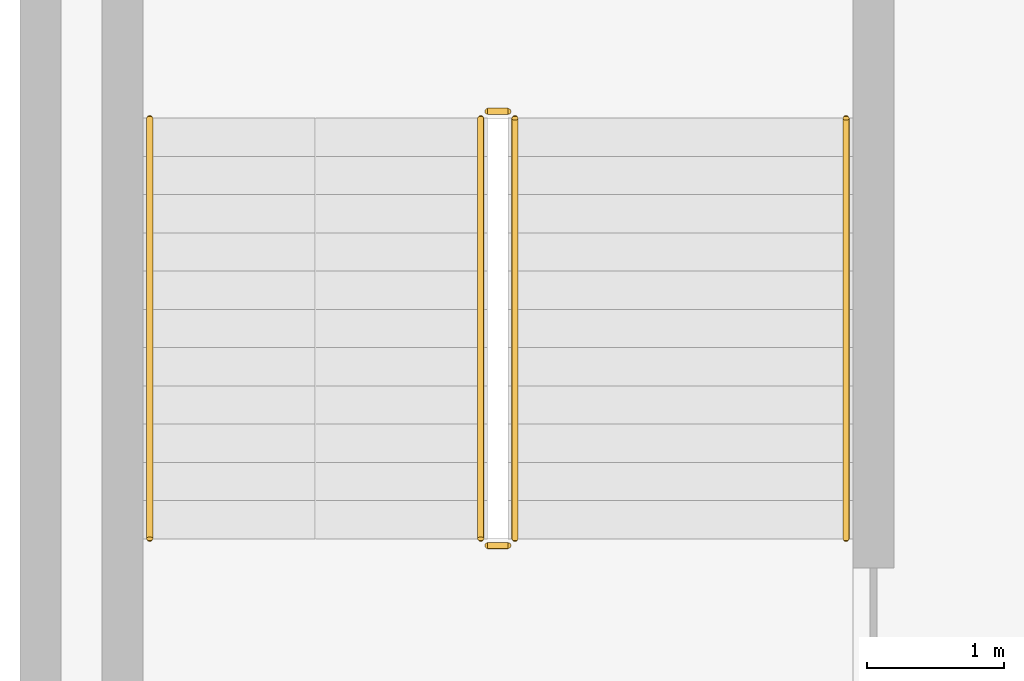
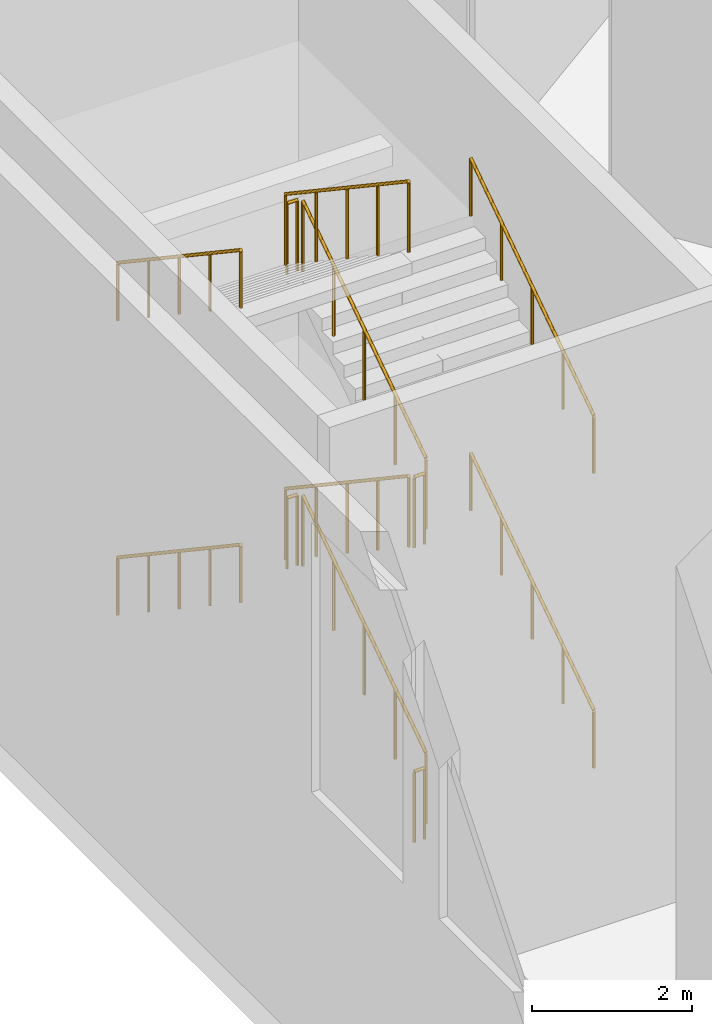
# One storey, part 21 of 27: 12 railings.
"""IFC4 building model written with IfcOpenShell, lengths in metres."""

import ifcopenshell
import ifcopenshell.guid

model = None  # the IFC model being written
_history = None  # IfcOwnerHistory: only IFC2X3 demands one
_inside = {}  # id of a spatial element -> (the spatial element, [elements in it])
_under = {}  # id of a project, library or spatial element -> (it, [spatial elements below it])
_declared = {}  # id of a project -> (the project, [libraries it declares])
_typed = {}  # id of a type object -> (the type object, [elements of that type])
_made_of = {}  # id of a material, layer set ... -> (it, [elements and type objects made of it])


def new_model(schema):
    """Start an empty IFC model of exactly this schema.

    Asked for "IFC4X3", IfcOpenShell would pick the latest addendum, in which some entities
    have other attributes; the version numbers below select the first issue.
    IFC2X3 requires an IfcOwnerHistory on every rooted entity: one is made here for all.
    """
    global model, _history
    if schema == "IFC4X3":
        model = ifcopenshell.file(schema_version=(4, 3, 0, 0))
    else:
        model = ifcopenshell.file(schema=schema)
    _inside.clear()
    _under.clear()
    _declared.clear()
    _typed.clear()
    _made_of.clear()
    _history = None
    if model.schema == "IFC2X3":
        org = make("IfcOrganization", Name="unknown")
        user = make(
            "IfcPersonAndOrganization",
            ThePerson=make("IfcPerson", FamilyName="unknown"),
            TheOrganization=org,
        )
        app = make(
            "IfcApplication",
            ApplicationDeveloper=org,
            Version="unknown",
            ApplicationFullName="unknown",
            ApplicationIdentifier="unknown",
        )
        _history = make(
            "IfcOwnerHistory",
            OwningUser=user,
            OwningApplication=app,
            ChangeAction="ADDED",
            CreationDate=0,
        )
    return model


def make(cls, **values):
    """One entity of the class cls with the attributes given. An attribute that is None is left unset."""
    return model.create_entity(
        cls, **{name: value for name, value in values.items() if value is not None}
    )


def rooted(cls, **values):
    """An entity with a GlobalId (a new one), such as an element, a storey or a relation."""
    return make(cls, GlobalId=ifcopenshell.guid.new(), OwnerHistory=_history, **values)


def si_unit(unit_type, name, prefix=None):
    """IfcSIUnit, for example si_unit("LENGTHUNIT", "METRE", prefix="MILLI")."""
    return make("IfcSIUnit", UnitType=unit_type, Prefix=prefix, Name=name)


def assignment(units):
    """IfcUnitAssignment: the units of a project."""
    return None if units is None else make("IfcUnitAssignment", Units=units)


def point(xyz):
    """IfcCartesianPoint."""
    return None if xyz is None else make("IfcCartesianPoint", Coordinates=xyz)


def direction(xyz):
    """IfcDirection."""
    return None if xyz is None else make("IfcDirection", DirectionRatios=xyz)


def frame(location, z_axis=None, x_axis=None):
    """IfcAxis2Placement3D, a coordinate frame: its origin and axes. An axis left out is left unset."""
    return make(
        "IfcAxis2Placement3D",
        Location=point(location),
        Axis=direction(z_axis),
        RefDirection=direction(x_axis),
    )


def frame_2d(location, x_axis=None):
    """IfcAxis2Placement2D, a coordinate frame in the plane: its origin and x axis."""
    return make(
        "IfcAxis2Placement2D", Location=point(location), RefDirection=direction(x_axis)
    )


def origin():
    """The frame at (0, 0, 0) with its axes left unset."""
    return frame((0.0, 0.0, 0.0))


def origin_2d():
    """The frame at (0, 0) in the plane with its x axis left unset."""
    return frame_2d((0.0, 0.0))


def place(relative_to, where):
    """IfcLocalPlacement: puts the frame where relative to a parent placement (None: the world)."""
    return make(
        "IfcLocalPlacement", PlacementRelTo=relative_to, RelativePlacement=where
    )


def context(
    kind, dimensions, precision=None, world=None, true_north=None, identifier=None
):
    """IfcGeometricRepresentationContext, for example the 3D "Model" context."""
    return make(
        "IfcGeometricRepresentationContext",
        ContextIdentifier=identifier,
        ContextType=kind,
        CoordinateSpaceDimension=dimensions,
        Precision=precision,
        WorldCoordinateSystem=world,
        TrueNorth=true_north,
    )


def subcontext(parent, identifier, kind, view, scale=None):
    """IfcGeometricRepresentationSubContext, for example "Body" below "Model"."""
    return make(
        "IfcGeometricRepresentationSubContext",
        ContextIdentifier=identifier,
        ContextType=kind,
        ParentContext=parent,
        TargetScale=scale,
        TargetView=view,
    )


def project(units=None, contexts=None):
    """IfcProject with its units and contexts."""
    return rooted(
        "IfcProject",
        Name="project",
        RepresentationContexts=contexts,
        UnitsInContext=assignment(units),
    )


def spatial(cls, under=None, at=None, **own):
    """A site, building, storey or space (cls), placed at a placement, below another one or the project."""
    s = rooted(cls, ObjectPlacement=at, **own)
    if under is not None:
        _under.setdefault(under.id(), (under, []))[1].append(s)
    return s


def profile(cls, at=None, kind="AREA", **sizes):
    """A parametric profile (cls). Its sizes go by their IFC names, for example OverallWidth=200.0."""
    return make(cls, ProfileType=kind, Position=at, **sizes)


def circle(**sizes):
    """IfcCircleProfileDef."""
    return profile("IfcCircleProfileDef", **sizes)


def extrude(swept, where, along, depth):
    """IfcExtrudedAreaSolid: the profile swept, set in the frame where, extruded along a direction by depth."""
    return make(
        "IfcExtrudedAreaSolid",
        SweptArea=swept,
        Position=where,
        ExtrudedDirection=direction(along),
        Depth=depth,
    )


def shape(context_of_items, identifier, shape_type, items):
    """IfcShapeRepresentation: the items that make up one representation, for example the "Body"."""
    return make(
        "IfcShapeRepresentation",
        ContextOfItems=context_of_items,
        RepresentationIdentifier=identifier,
        RepresentationType=shape_type,
        Items=items,
    )


def material(Name=None, Category=None):
    """IfcMaterial."""
    return make("IfcMaterial", Name=Name, Category=Category)


def made_of(thing, what):
    """Note that an element or type object is made of a material, layer set ...; save() writes the relation."""
    if what is not None:
        _made_of.setdefault(what.id(), (what, []))[1].append(thing)
    return thing


def type_object(cls, material=None, **own):
    """A type object (cls), such as IfcWallType, which elements share."""
    return made_of(rooted(cls, **own), material)


def element(
    cls,
    number,
    at=None,
    inside=None,
    cuts=None,
    type_object=None,
    material=None,
    context=None,
    identifier="Body",
    shape_type=None,
    held_by="IfcProductDefinitionShape",
    body=None,
    shapes=None,
    **own,
):
    """One element of the class cls, such as IfcWall. Its Tag is "e" and its number.

    at: its placement. inside: the storey or other place that contains it. cuts: it is an
    opening in that element (IfcRelVoidsElement). A single representation is given by context,
    identifier, shape_type and body (its items); several are given by shapes. held_by: the class
    of the entity that holds the representations. save() writes the other relations.
    """
    e = rooted(cls, Tag="e%d" % number, ObjectPlacement=at, **own)
    if body is not None:
        shapes = [shape(context, identifier, shape_type, body)]
    if shapes is not None:
        e.Representation = make(held_by, Representations=shapes)
    if inside is not None:
        _inside.setdefault(inside.id(), (inside, []))[1].append(e)
    if cuts is not None:
        rooted(
            "IfcRelVoidsElement", RelatingBuildingElement=cuts, RelatedOpeningElement=e
        )
    if type_object is not None:
        _typed.setdefault(type_object.id(), (type_object, []))[1].append(e)
    return made_of(e, material)


def aggregate(whole, parts):
    """IfcRelAggregates: a whole, such as a stair, and the parts it consists of."""
    return rooted("IfcRelAggregates", RelatingObject=whole, RelatedObjects=parts)


def save(model, path):
    """Write the relations noted so far, then the file.

    IfcRelAggregates (storeys below a building ...), IfcRelContainedInSpatialStructure (elements
    in a storey), IfcRelDefinesByType, IfcRelAssociatesMaterial and IfcRelDeclares: one each for
    every whole, place, type object, material and project.
    """
    for whole, parts in _under.values():
        aggregate(whole, parts)
    for where, things in _inside.values():
        rooted(
            "IfcRelContainedInSpatialStructure",
            RelatedElements=things,
            RelatingStructure=where,
        )
    for kind, things in _typed.values():
        rooted("IfcRelDefinesByType", RelatedObjects=things, RelatingType=kind)
    for what, things in _made_of.values():
        rooted("IfcRelAssociatesMaterial", RelatedObjects=things, RelatingMaterial=what)
    for by, libraries in _declared.values():
        rooted("IfcRelDeclares", RelatingContext=by, RelatedDefinitions=libraries)
    model.write(path)


model = new_model("IFC4")

# Units and contexts
model_context = context("Model", 3, precision=1e-05, world=origin(), true_north=direction((0.0, 1.0)))
body_context = subcontext(model_context, "Body", "Model", "MODEL_VIEW")
ifc_project = project(units=[si_unit("LENGTHUNIT", "METRE"), si_unit("AREAUNIT", "SQUARE_METRE"), si_unit("VOLUMEUNIT", "CUBIC_METRE"), si_unit("PLANEANGLEUNIT", "RADIAN"), si_unit("MASSUNIT", "GRAM", prefix="KILO")], contexts=[model_context])

# Site, building, storey
site_placement = place(None, origin())
site = spatial("IfcSite", under=ifc_project, at=site_placement, CompositionType="ELEMENT")
building_placement = place(site_placement, origin())
building = spatial("IfcBuilding", under=site, at=building_placement, Name="Tel Ilan Convention Tower", CompositionType="ELEMENT")
storey_placement = place(building_placement, frame((0.0, 0.0, 9.0)))
storey = spatial("IfcBuildingStorey", under=building, at=storey_placement, Name="L01", CompositionType="ELEMENT", Elevation=9.0)

# Railings
ifc_material_1 = material(Name="Stainless Steel Grade 316", Category="steel")
railing_type_1 = type_object("IfcRailingType", Name="Stainless Steel Stair Guard 1100 mm", PredefinedType="GUARDRAIL", material=ifc_material_1)
railing_1_placement = place(storey_placement, frame((-46.375, -40.47509765625, 0.1875)))
element("IfcRailing", 1, at=railing_1_placement, inside=storey, type_object=railing_type_1, Name="L01 P7 stair guard 1", PredefinedType="GUARDRAIL", context=body_context, shape_type="SweptSolid", body=[
    extrude(circle(Radius=0.02392578125, at=origin_2d()), frame((0.0, 0.0, 1.076171875), z_axis=(0.0, 0.830913701846, 0.55640131208), x_axis=(-1.0, 0.0, 0.0)), (0.0, 0.0, 1.0), 3.706787109375),
    extrude(circle(Radius=0.02099609375, at=origin_2d()), origin(), (0.0, 0.0, 1.0), 1.052001953125),
    extrude(circle(Radius=0.02099609375, at=origin_2d()), frame((0.0, 0.77001953125, 0.515625)), (0.0, 0.0, 1.0), 1.052001953125),
    extrude(circle(Radius=0.02099609375, at=origin_2d()), frame((0.0, 1.5400390625, 1.03125)), (0.0, 0.0, 1.0), 1.052001953125),
    extrude(circle(Radius=0.02099609375, at=origin_2d()), frame((0.0, 2.31005859375, 1.546875)), (0.0, 0.0, 1.0), 1.052001953125),
    extrude(circle(Radius=0.02099609375, at=origin_2d()), frame((0.0, 3.080078125, 2.0625)), (0.0, 0.0, 1.0), 1.052001953125),
])
railing_2_placement = place(storey_placement, frame((-46.425048828125, -37.344970703125, 2.25)))
element("IfcRailing", 2, at=railing_2_placement, inside=storey, type_object=railing_type_1, Name="L01 P7 stair guard 2", PredefinedType="GUARDRAIL", context=body_context, shape_type="SweptSolid", body=[
    extrude(circle(Radius=0.02392578125, at=origin_2d()), frame((0.0, 0.0, 1.076171875), z_axis=(-1.0, 0.0, 0.0), x_axis=(0.0, -1.0, 0.0)), (0.0, 0.0, 1.0), 0.14990234375),
    extrude(circle(Radius=0.02099609375, at=origin_2d()), origin(), (0.0, 0.0, 1.0), 1.052001953125),
    extrude(circle(Radius=0.02099609375, at=origin_2d()), frame((-0.14990234375, 0.0, 0.0)), (0.0, 0.0, 1.0), 1.052001953125),
])
railing_3_placement = place(storey_placement, frame((-46.625, -37.39501953125, 2.4375)))
element("IfcRailing", 3, at=railing_3_placement, inside=storey, type_object=railing_type_1, Name="L01 P7 stair guard 3", PredefinedType="GUARDRAIL", context=body_context, shape_type="SweptSolid", body=[
    extrude(circle(Radius=0.02392578125, at=origin_2d()), frame((0.0, 0.0, 1.076171875), z_axis=(0.0, -0.830913701846, 0.55640131208), x_axis=(1.0, 0.0, 0.0)), (0.0, 0.0, 1.0), 3.706787109375),
    extrude(circle(Radius=0.02099609375, at=origin_2d()), origin(), (0.0, 0.0, 1.0), 1.052001953125),
    extrude(circle(Radius=0.02099609375, at=origin_2d()), frame((0.0, -0.77001953125, 0.515625)), (0.0, 0.0, 1.0), 1.052001953125),
    extrude(circle(Radius=0.02099609375, at=origin_2d()), frame((0.0, -1.5400390625, 1.03125)), (0.0, 0.0, 1.0), 1.052001953125),
    extrude(circle(Radius=0.02099609375, at=origin_2d()), frame((0.0, -2.31005859375, 1.546875)), (0.0, 0.0, 1.0), 1.052001953125),
    extrude(circle(Radius=0.02099609375, at=origin_2d()), frame((0.0, -3.080078125, 2.0625)), (0.0, 0.0, 1.0), 1.052001953125),
])
railing_4_placement = place(storey_placement, frame((-46.425048828125, -40.52490234375, 4.5)))
element("IfcRailing", 4, at=railing_4_placement, inside=storey, type_object=railing_type_1, Name="L01 P7 stair guard 4", PredefinedType="GUARDRAIL", context=body_context, shape_type="SweptSolid", body=[
    extrude(circle(Radius=0.02392578125, at=origin_2d()), frame((0.0, 0.0, 1.076171875), z_axis=(-1.0, 0.0, 0.0), x_axis=(0.0, -1.0, 0.0)), (0.0, 0.0, 1.0), 0.14990234375),
    extrude(circle(Radius=0.02099609375, at=origin_2d()), origin(), (0.0, 0.0, 1.0), 1.052001953125),
    extrude(circle(Radius=0.02099609375, at=origin_2d()), frame((-0.14990234375, 0.0, 0.0)), (0.0, 0.0, 1.0), 1.052001953125),
])
railing_5_placement = place(storey_placement, frame((-46.375, -40.47509765625, 4.6875)))
element("IfcRailing", 5, at=railing_5_placement, inside=storey, type_object=railing_type_1, Name="L01 P7 stair guard 5", PredefinedType="GUARDRAIL", context=body_context, shape_type="SweptSolid", body=[
    extrude(circle(Radius=0.02392578125, at=origin_2d()), frame((0.0, 0.0, 1.076171875), z_axis=(0.0, 0.830913701846, 0.55640131208), x_axis=(-1.0, 0.0, 0.0)), (0.0, 0.0, 1.0), 3.706787109375),
    extrude(circle(Radius=0.02099609375, at=origin_2d()), origin(), (0.0, 0.0, 1.0), 1.052001953125),
    extrude(circle(Radius=0.02099609375, at=origin_2d()), frame((0.0, 0.77001953125, 0.515625)), (0.0, 0.0, 1.0), 1.052001953125),
    extrude(circle(Radius=0.02099609375, at=origin_2d()), frame((0.0, 1.5400390625, 1.03125)), (0.0, 0.0, 1.0), 1.052001953125),
    extrude(circle(Radius=0.02099609375, at=origin_2d()), frame((0.0, 2.31005859375, 1.546875)), (0.0, 0.0, 1.0), 1.052001953125),
    extrude(circle(Radius=0.02099609375, at=origin_2d()), frame((0.0, 3.080078125, 2.0625)), (0.0, 0.0, 1.0), 1.052001953125),
])
railing_6_placement = place(storey_placement, frame((-46.425048828125, -37.344970703125, 6.75)))
element("IfcRailing", 6, at=railing_6_placement, inside=storey, type_object=railing_type_1, Name="L01 P7 stair guard 6", PredefinedType="GUARDRAIL", context=body_context, shape_type="SweptSolid", body=[
    extrude(circle(Radius=0.02392578125, at=origin_2d()), frame((0.0, 0.0, 1.076171875), z_axis=(-1.0, 0.0, 0.0), x_axis=(0.0, -1.0, 0.0)), (0.0, 0.0, 1.0), 0.14990234375),
    extrude(circle(Radius=0.02099609375, at=origin_2d()), origin(), (0.0, 0.0, 1.0), 1.052001953125),
    extrude(circle(Radius=0.02099609375, at=origin_2d()), frame((-0.14990234375, 0.0, 0.0)), (0.0, 0.0, 1.0), 1.052001953125),
])
railing_7_placement = place(storey_placement, frame((-46.625, -37.39501953125, 6.9375)))
element("IfcRailing", 7, at=railing_7_placement, inside=storey, type_object=railing_type_1, Name="L01 P7 stair guard 7", PredefinedType="GUARDRAIL", context=body_context, shape_type="SweptSolid", body=[
    extrude(circle(Radius=0.02392578125, at=origin_2d()), frame((0.0, 0.0, 1.076171875), z_axis=(0.0, -0.830913701846, 0.55640131208), x_axis=(1.0, 0.0, 0.0)), (0.0, 0.0, 1.0), 3.706787109375),
    extrude(circle(Radius=0.02099609375, at=origin_2d()), origin(), (0.0, 0.0, 1.0), 1.052001953125),
    extrude(circle(Radius=0.02099609375, at=origin_2d()), frame((0.0, -0.77001953125, 0.515625)), (0.0, 0.0, 1.0), 1.052001953125),
    extrude(circle(Radius=0.02099609375, at=origin_2d()), frame((0.0, -1.5400390625, 1.03125)), (0.0, 0.0, 1.0), 1.052001953125),
    extrude(circle(Radius=0.02099609375, at=origin_2d()), frame((0.0, -2.31005859375, 1.546875)), (0.0, 0.0, 1.0), 1.052001953125),
    extrude(circle(Radius=0.02099609375, at=origin_2d()), frame((0.0, -3.080078125, 2.0625)), (0.0, 0.0, 1.0), 1.052001953125),
])
railing_8_placement = place(storey_placement, frame((-46.425048828125, -40.52490234375, 0.0)))
element("IfcRailing", 8, at=railing_8_placement, inside=storey, type_object=railing_type_1, Name="L01 P7 stair guard 8", PredefinedType="GUARDRAIL", context=body_context, shape_type="SweptSolid", body=[
    extrude(circle(Radius=0.02392578125, at=origin_2d()), frame((0.0, 0.0, 1.076171875), z_axis=(-1.0, 0.0, 0.0), x_axis=(0.0, -1.0, 0.0)), (0.0, 0.0, 1.0), 0.14990234375),
    extrude(circle(Radius=0.02099609375, at=origin_2d()), origin(), (0.0, 0.0, 1.0), 1.052001953125),
    extrude(circle(Radius=0.02099609375, at=origin_2d()), frame((-0.14990234375, 0.0, 0.0)), (0.0, 0.0, 1.0), 1.052001953125),
])
ifc_material_2 = material(Name="Stainless Steel Grade 316", Category="steel")
railing_type_2 = type_object("IfcRailingType", Name="Stainless Steel Stair Handrail 900 mm", PredefinedType="HANDRAIL", material=ifc_material_2)
railing_9_placement = place(storey_placement, frame((-43.949951171875, -40.47509765625, 0.1875)))
element("IfcRailing", 9, at=railing_9_placement, inside=storey, type_object=railing_type_2, Name="L01 P7 stair handrail 1", PredefinedType="HANDRAIL", context=body_context, shape_type="SweptSolid", body=[
    extrude(circle(Radius=0.02392578125, at=origin_2d()), frame((0.0, 0.0, 0.8759765625), z_axis=(0.0, 0.830913701846, 0.55640131208), x_axis=(-1.0, 0.0, 0.0)), (0.0, 0.0, 1.0), 3.706787109375),
    extrude(circle(Radius=0.02099609375, at=origin_2d()), origin(), (0.0, 0.0, 1.0), 0.851806640625),
    extrude(circle(Radius=0.02099609375, at=origin_2d()), frame((0.0, 0.77001953125, 0.515625)), (0.0, 0.0, 1.0), 0.851806640625),
    extrude(circle(Radius=0.02099609375, at=origin_2d()), frame((0.0, 1.5400390625, 1.03125)), (0.0, 0.0, 1.0), 0.851806640625),
    extrude(circle(Radius=0.02099609375, at=origin_2d()), frame((0.0, 2.31005859375, 1.546875)), (0.0, 0.0, 1.0), 0.851806640625),
    extrude(circle(Radius=0.02099609375, at=origin_2d()), frame((0.0, 3.080078125, 2.0625)), (0.0, 0.0, 1.0), 0.851806640625),
])
railing_10_placement = place(storey_placement, frame((-49.050048828125, -37.39501953125, 2.4375)))
element("IfcRailing", 10, at=railing_10_placement, inside=storey, type_object=railing_type_2, Name="L01 P7 stair handrail 2", PredefinedType="HANDRAIL", context=body_context, shape_type="SweptSolid", body=[
    extrude(circle(Radius=0.02392578125, at=origin_2d()), frame((0.0, 0.0, 0.8759765625), z_axis=(0.0, -0.830913701846, 0.55640131208), x_axis=(1.0, 0.0, 0.0)), (0.0, 0.0, 1.0), 3.706787109375),
    extrude(circle(Radius=0.02099609375, at=origin_2d()), origin(), (0.0, 0.0, 1.0), 0.851806640625),
    extrude(circle(Radius=0.02099609375, at=origin_2d()), frame((0.0, -0.77001953125, 0.515625)), (0.0, 0.0, 1.0), 0.851806640625),
    extrude(circle(Radius=0.02099609375, at=origin_2d()), frame((0.0, -1.5400390625, 1.03125)), (0.0, 0.0, 1.0), 0.851806640625),
    extrude(circle(Radius=0.02099609375, at=origin_2d()), frame((0.0, -2.31005859375, 1.546875)), (0.0, 0.0, 1.0), 0.851806640625),
    extrude(circle(Radius=0.02099609375, at=origin_2d()), frame((0.0, -3.080078125, 2.0625)), (0.0, 0.0, 1.0), 0.851806640625),
])
railing_11_placement = place(storey_placement, frame((-43.949951171875, -40.47509765625, 4.6875)))
element("IfcRailing", 11, at=railing_11_placement, inside=storey, type_object=railing_type_2, Name="L01 P7 stair handrail 3", PredefinedType="HANDRAIL", context=body_context, shape_type="SweptSolid", body=[
    extrude(circle(Radius=0.02392578125, at=origin_2d()), frame((0.0, 0.0, 0.8759765625), z_axis=(0.0, 0.830913701846, 0.55640131208), x_axis=(-1.0, 0.0, 0.0)), (0.0, 0.0, 1.0), 3.706787109375),
    extrude(circle(Radius=0.02099609375, at=origin_2d()), origin(), (0.0, 0.0, 1.0), 0.851806640625),
    extrude(circle(Radius=0.02099609375, at=origin_2d()), frame((0.0, 0.77001953125, 0.515625)), (0.0, 0.0, 1.0), 0.851806640625),
    extrude(circle(Radius=0.02099609375, at=origin_2d()), frame((0.0, 1.5400390625, 1.03125)), (0.0, 0.0, 1.0), 0.851806640625),
    extrude(circle(Radius=0.02099609375, at=origin_2d()), frame((0.0, 2.31005859375, 1.546875)), (0.0, 0.0, 1.0), 0.851806640625),
    extrude(circle(Radius=0.02099609375, at=origin_2d()), frame((0.0, 3.080078125, 2.0625)), (0.0, 0.0, 1.0), 0.851806640625),
])
railing_12_placement = place(storey_placement, frame((-49.050048828125, -37.39501953125, 6.9375)))
element("IfcRailing", 12, at=railing_12_placement, inside=storey, type_object=railing_type_2, Name="L01 P7 stair handrail 4", PredefinedType="HANDRAIL", context=body_context, shape_type="SweptSolid", body=[
    extrude(circle(Radius=0.02392578125, at=origin_2d()), frame((0.0, 0.0, 0.8759765625), z_axis=(0.0, -0.830913701846, 0.55640131208), x_axis=(1.0, 0.0, 0.0)), (0.0, 0.0, 1.0), 3.706787109375),
    extrude(circle(Radius=0.02099609375, at=origin_2d()), origin(), (0.0, 0.0, 1.0), 0.851806640625),
    extrude(circle(Radius=0.02099609375, at=origin_2d()), frame((0.0, -0.77001953125, 0.515625)), (0.0, 0.0, 1.0), 0.851806640625),
    extrude(circle(Radius=0.02099609375, at=origin_2d()), frame((0.0, -1.5400390625, 1.03125)), (0.0, 0.0, 1.0), 0.851806640625),
    extrude(circle(Radius=0.02099609375, at=origin_2d()), frame((0.0, -2.31005859375, 1.546875)), (0.0, 0.0, 1.0), 0.851806640625),
    extrude(circle(Radius=0.02099609375, at=origin_2d()), frame((0.0, -3.080078125, 2.0625)), (0.0, 0.0, 1.0), 0.851806640625),
])

save(model, "model.ifc")
